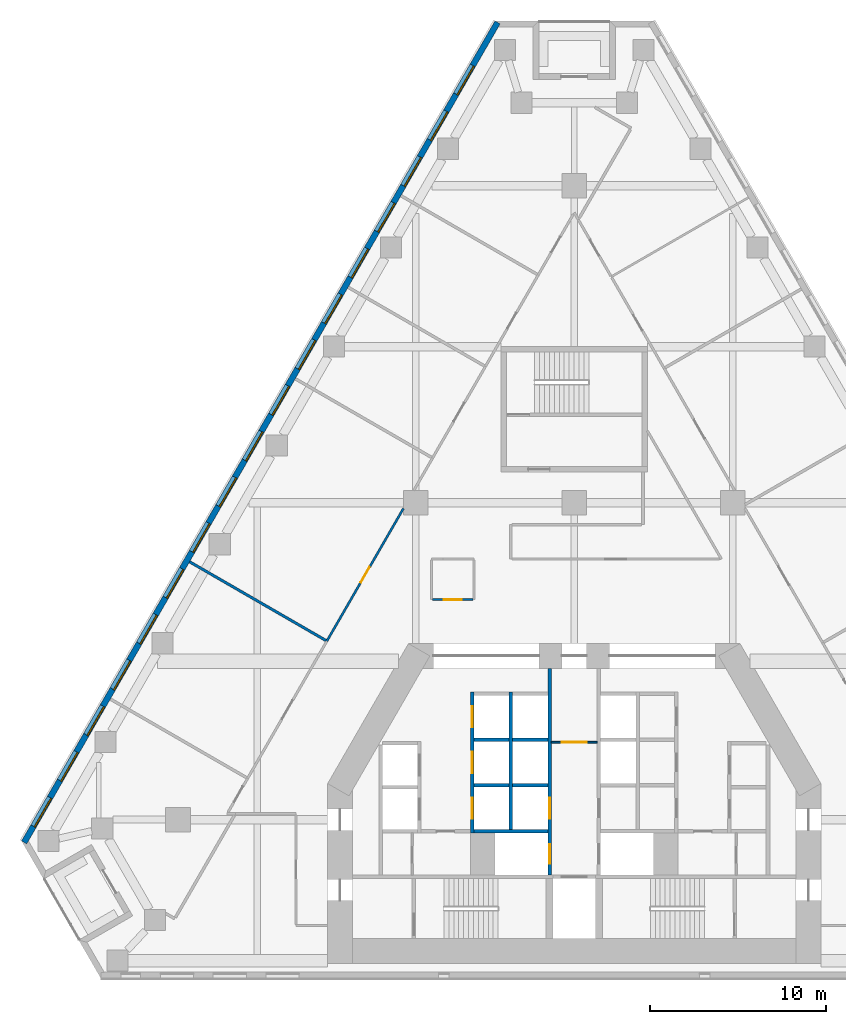
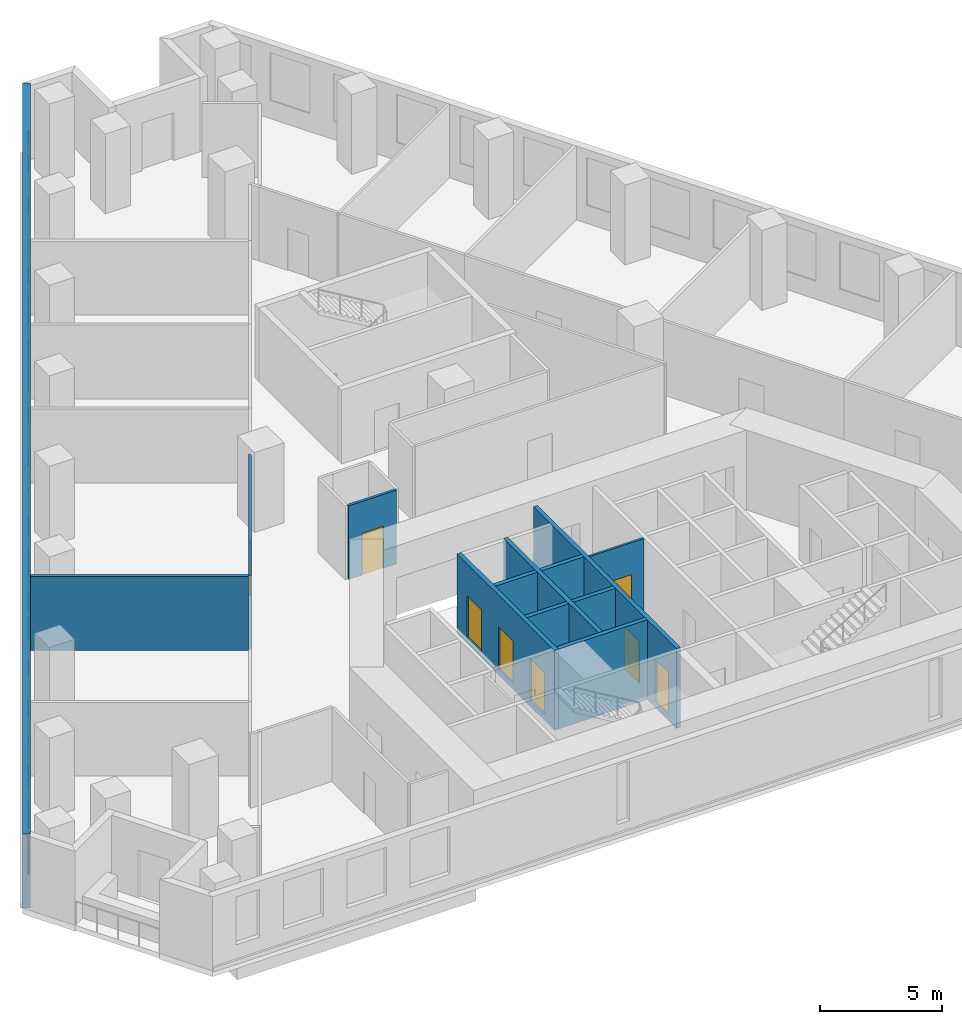
# One storey, part 4 of 9: 17 windows, 13 walls, 8 doors, 25 openings.
"""IFC4 building model written with IfcOpenShell, lengths in metres."""

from ifc_helpers import new_model, si_unit, direction, frame, frame_2d, origin, place, context, subcontext, project, spatial, rectangle, extrude, material, layer, layer_set, type_object, element, fill, save


model = new_model("IFC4")

# Units and contexts
model_context = context("Model", 3, precision=1e-05, world=origin(), true_north=direction((0.0, 1.0)))
body_context = subcontext(model_context, "Body", "Model", "MODEL_VIEW")
ifc_project = project(units=[si_unit("LENGTHUNIT", "METRE"), si_unit("AREAUNIT", "SQUARE_METRE"), si_unit("VOLUMEUNIT", "CUBIC_METRE"), si_unit("PLANEANGLEUNIT", "RADIAN"), si_unit("MASSUNIT", "GRAM", prefix="KILO")], contexts=[model_context])

# Site, building, storey
site_placement = place(None, origin())
site = spatial("IfcSite", under=ifc_project, at=site_placement, CompositionType="ELEMENT")
building_placement = place(site_placement, origin())
building = spatial("IfcBuilding", under=site, at=building_placement, Name="Fogline Exchange Tower", CompositionType="ELEMENT")
storey_placement = place(building_placement, frame((0.0, 0.0, 68.89990234375)))
storey = spatial("IfcBuildingStorey", under=building, at=storey_placement, Name="L14", CompositionType="ELEMENT", Elevation=68.89990234375)

# Wall, opening, door
ifc_material_1 = material(Name="Blockwork partition", Category="masonry")
ifc_layer_1 = layer(ifc_material_1, 0.10009765625)
ifc_layer_set_1 = layer_set([ifc_layer_1], Name="CW10")
wall_type_1 = type_object("IfcWallType", Name="CW10", PredefinedType="PARTITIONING", material=ifc_layer_set_1)
wall_1_placement = place(storey_placement, frame((-1.300048828125, 13.39990234375, 0.0), z_axis=(0.0, 0.0, 1.0), x_axis=(1.0, 0.0, 0.0)))
wall_1 = element("IfcWall", 1, at=wall_1_placement, inside=storey, type_object=wall_type_1, Name="Lift lobby partition", PredefinedType="PARTITIONING", context=body_context, shape_type="SweptSolid", body=[
    extrude(rectangle(XDim=2.60009765625, YDim=0.10009765625, at=frame_2d((1.300048828125, 0.0))), origin(), (0.0, 0.0, 1.0), 3.7001953125),
])
opening_1_placement = place(wall_1_placement, frame((0.60009765625, 0.0, 0.0)))
opening_1 = element("IfcOpeningElement", 2, at=opening_1_placement, cuts=wall_1, Name="Opening T04-C017", PredefinedType="OPENING", context=body_context, shape_type="SweptSolid", body=[
    extrude(rectangle(XDim=1.39990234375, YDim=2.10009765625, at=frame_2d((0.699951171875, 1.050048828125))), frame((0.0, 0.06005859375, 0.0), z_axis=(0.0, -1.0, 0.0), x_axis=(1.0, 0.0, 0.0)), (0.0, 0.0, 1.0), 0.1201171875),
])
ifc_material_2 = material(Name="Steel and timber fire door", Category="steel")
door_type_1 = type_object("IfcDoorType", Name="D-LB1", OperationType="DOUBLE_DOOR_SINGLE_SWING", PredefinedType="DOOR", material=ifc_material_2)
door_1_placement = place(opening_1_placement, origin())
door_1 = element("IfcDoor", 3, at=door_1_placement, inside=storey, type_object=door_type_1, Name="Door to firefighting lift lobby", OperationType="DOUBLE_DOOR_SINGLE_SWING", OverallHeight=2.10009765625, OverallWidth=1.39990234375, PredefinedType="DOOR", context=body_context, shape_type="SweptSolid", body=[
    extrude(rectangle(XDim=1.39990234375, YDim=2.10009765625, at=frame_2d((0.699951171875, 1.050048828125))), frame((0.0, 0.02490234375, 0.0), z_axis=(0.0, -1.0, 0.0), x_axis=(1.0, 0.0, 0.0)), (0.0, 0.0, 1.0), 0.050048828125),
])
fill(opening_1, door_1)

# Wall, openings, doors
ifc_material_3 = material(Name="Concrete C40", Category="concrete")
ifc_layer_2 = layer(ifc_material_3, 0.199951171875)
ifc_layer_set_2 = layer_set([ifc_layer_2], Name="CW20S")
wall_type_2 = type_object("IfcWallType", Name="CW20S", PredefinedType="SOLIDWALL", material=ifc_layer_set_2)
wall_2_placement = place(storey_placement, frame((-5.800048828125, 8.25, -0.2998046875), z_axis=(0.0, 0.0, 1.0), x_axis=(0.0, 1.0, 0.0)))
wall_2 = element("IfcWall", 4, at=wall_2_placement, inside=storey, type_object=wall_type_2, Name="Lift shaft wall", PredefinedType="SOLIDWALL", context=body_context, shape_type="SweptSolid", body=[
    extrude(rectangle(XDim=8.0, YDim=0.199951171875, at=frame_2d((4.0, 0.0))), origin(), (0.0, 0.0, 1.0), 4.0),
])
opening_2_placement = place(wall_2_placement, frame((0.800048828125, 0.0, 0.300048828125)))
opening_2 = element("IfcOpeningElement", 5, at=opening_2_placement, cuts=wall_2, Name="Opening T04-LD03", PredefinedType="OPENING", context=body_context, shape_type="SweptSolid", body=[
    extrude(rectangle(XDim=1.199951171875, YDim=2.10009765625, at=frame_2d((0.60009765625, 1.050048828125))), frame((0.0, 0.10986328125, 0.0), z_axis=(0.0, -1.0, 0.0), x_axis=(1.0, 0.0, 0.0)), (0.0, 0.0, 1.0), 0.219970703125),
])
opening_3_placement = place(wall_2_placement, frame((3.39990234375, 0.0, 0.300048828125)))
opening_3 = element("IfcOpeningElement", 6, at=opening_3_placement, cuts=wall_2, Name="Opening T04-LD04", PredefinedType="OPENING", context=body_context, shape_type="SweptSolid", body=[
    extrude(rectangle(XDim=1.199951171875, YDim=2.10009765625, at=frame_2d((0.60009765625, 1.050048828125))), frame((0.0, 0.10986328125, 0.0), z_axis=(0.0, -1.0, 0.0), x_axis=(1.0, 0.0, 0.0)), (0.0, 0.0, 1.0), 0.219970703125),
])
opening_4_placement = place(wall_2_placement, frame((6.0, 0.0, 0.300048828125)))
opening_4 = element("IfcOpeningElement", 7, at=opening_4_placement, cuts=wall_2, Name="Opening T04-LD05", PredefinedType="OPENING", context=body_context, shape_type="SweptSolid", body=[
    extrude(rectangle(XDim=1.199951171875, YDim=2.10009765625, at=frame_2d((0.60009765625, 1.050048828125))), frame((0.0, 0.10986328125, 0.0), z_axis=(0.0, -1.0, 0.0), x_axis=(1.0, 0.0, 0.0)), (0.0, 0.0, 1.0), 0.219970703125),
])
door_type_2 = type_object("IfcDoorType", Name="LD1", OperationType="SLIDING_TO_LEFT", PredefinedType="DOOR", material=ifc_material_2)
door_2_placement = place(opening_2_placement, origin())
door_2 = element("IfcDoor", 8, at=door_2_placement, inside=storey, type_object=door_type_2, Name="Landing door LR3", OperationType="SLIDING_TO_LEFT", OverallHeight=2.10009765625, OverallWidth=1.199951171875, PredefinedType="DOOR", context=body_context, shape_type="SweptSolid", body=[
    extrude(rectangle(XDim=1.199951171875, YDim=2.10009765625, at=frame_2d((0.60009765625, 1.050048828125))), frame((0.0, 0.02490234375, 0.0), z_axis=(0.0, -1.0, 0.0), x_axis=(1.0, 0.0, 0.0)), (0.0, 0.0, 1.0), 0.050048828125),
])
fill(opening_2, door_2)
door_3_placement = place(opening_3_placement, origin())
door_3 = element("IfcDoor", 9, at=door_3_placement, inside=storey, type_object=door_type_2, Name="Landing door LR4", OperationType="SLIDING_TO_LEFT", OverallHeight=2.10009765625, OverallWidth=1.199951171875, PredefinedType="DOOR", context=body_context, shape_type="SweptSolid", body=[
    extrude(rectangle(XDim=1.199951171875, YDim=2.10009765625, at=frame_2d((0.60009765625, 1.050048828125))), frame((0.0, 0.02490234375, 0.0), z_axis=(0.0, -1.0, 0.0), x_axis=(1.0, 0.0, 0.0)), (0.0, 0.0, 1.0), 0.050048828125),
])
fill(opening_3, door_3)
door_4_placement = place(opening_4_placement, origin())
door_4 = element("IfcDoor", 10, at=door_4_placement, inside=storey, type_object=door_type_2, Name="Landing door LR5", OperationType="SLIDING_TO_LEFT", OverallHeight=2.10009765625, OverallWidth=1.199951171875, PredefinedType="DOOR", context=body_context, shape_type="SweptSolid", body=[
    extrude(rectangle(XDim=1.199951171875, YDim=2.10009765625, at=frame_2d((0.60009765625, 1.050048828125))), frame((0.0, 0.02490234375, 0.0), z_axis=(0.0, -1.0, 0.0), x_axis=(1.0, 0.0, 0.0)), (0.0, 0.0, 1.0), 0.050048828125),
])
fill(opening_4, door_4)

# Wall
wall_3_placement = place(storey_placement, frame((-3.60009765625, 8.449951171875, -0.2998046875), z_axis=(0.0, 0.0, 1.0), x_axis=(0.0, 1.0, 0.0)))
element("IfcWall", 11, at=wall_3_placement, inside=storey, type_object=wall_type_2, Name="Lift shaft wall", PredefinedType="SOLIDWALL", context=body_context, shape_type="SweptSolid", body=[
    extrude(rectangle(XDim=7.800048828125, YDim=0.199951171875, at=frame_2d((3.89990234375, 0.0))), origin(), (0.0, 0.0, 1.0), 4.0),
])

# Wall, openings, doors
wall_4_placement = place(storey_placement, frame((-1.39990234375, 5.85009765625, -0.2998046875), z_axis=(0.0, 0.0, 1.0), x_axis=(0.0, 1.0, 0.0)))
wall_4 = element("IfcWall", 12, at=wall_4_placement, inside=storey, type_object=wall_type_2, Name="Lift lobby wall", PredefinedType="SOLIDWALL", context=body_context, shape_type="SweptSolid", body=[
    extrude(rectangle(XDim=11.75, YDim=0.199951171875, at=frame_2d((5.875, 0.0))), origin(), (0.0, 0.0, 1.0), 4.0),
])
opening_5_placement = place(wall_4_placement, frame((3.199951171875, 0.0, 0.300048828125)))
opening_5 = element("IfcOpeningElement", 13, at=opening_5_placement, cuts=wall_4, Name="Opening T04-LD06", PredefinedType="OPENING", context=body_context, shape_type="SweptSolid", body=[
    extrude(rectangle(XDim=1.199951171875, YDim=2.10009765625, at=frame_2d((0.60009765625, 1.050048828125))), frame((0.0, 0.10986328125, 0.0), z_axis=(0.0, -1.0, 0.0), x_axis=(1.0, 0.0, 0.0)), (0.0, 0.0, 1.0), 0.219970703125),
])
opening_6_placement = place(wall_4_placement, frame((0.64990234375, 0.0, 0.300048828125)))
opening_6 = element("IfcOpeningElement", 14, at=opening_6_placement, cuts=wall_4, Name="Opening T04-LD07", PredefinedType="OPENING", context=body_context, shape_type="SweptSolid", body=[
    extrude(rectangle(XDim=1.10009765625, YDim=2.10009765625, at=frame_2d((0.550048828125, 1.050048828125))), frame((0.0, 0.10986328125, 0.0), z_axis=(0.0, -1.0, 0.0), x_axis=(1.0, 0.0, 0.0)), (0.0, 0.0, 1.0), 0.219970703125),
])
door_5_placement = place(opening_5_placement, origin())
door_5 = element("IfcDoor", 15, at=door_5_placement, inside=storey, type_object=door_type_2, Name="Landing door LR6", OperationType="SLIDING_TO_LEFT", OverallHeight=2.10009765625, OverallWidth=1.199951171875, PredefinedType="DOOR", context=body_context, shape_type="SweptSolid", body=[
    extrude(rectangle(XDim=1.199951171875, YDim=2.10009765625, at=frame_2d((0.60009765625, 1.050048828125))), frame((0.0, 0.02490234375, 0.0), z_axis=(0.0, -1.0, 0.0), x_axis=(1.0, 0.0, 0.0)), (0.0, 0.0, 1.0), 0.050048828125),
])
fill(opening_5, door_5)
door_type_3 = type_object("IfcDoorType", Name="LD2", OperationType="SLIDING_TO_RIGHT", PredefinedType="DOOR", material=ifc_material_2)
door_6_placement = place(opening_6_placement, origin())
door_6 = element("IfcDoor", 16, at=door_6_placement, inside=storey, type_object=door_type_3, Name="Landing door FF1", OperationType="SLIDING_TO_RIGHT", OverallHeight=2.10009765625, OverallWidth=1.10009765625, PredefinedType="DOOR", context=body_context, shape_type="SweptSolid", body=[
    extrude(rectangle(XDim=1.10009765625, YDim=2.10009765625, at=frame_2d((0.550048828125, 1.050048828125))), frame((0.0, 0.02490234375, 0.0), z_axis=(0.0, -1.0, 0.0), x_axis=(1.0, 0.0, 0.0)), (0.0, 0.0, 1.0), 0.050048828125),
])
fill(opening_6, door_6)

# Walls
wall_5_placement = place(storey_placement, frame((-5.699951171875, 8.35009765625, -0.2998046875), z_axis=(0.0, 0.0, 1.0), x_axis=(1.0, 0.0, 0.0)))
element("IfcWall", 17, at=wall_5_placement, inside=storey, type_object=wall_type_2, Name="Lift shaft wall", PredefinedType="SOLIDWALL", context=body_context, shape_type="SweptSolid", body=[
    extrude(rectangle(XDim=4.199951171875, YDim=0.199951171875, at=frame_2d((2.10009765625, 0.0))), origin(), (0.0, 0.0, 1.0), 4.0),
])
for number, where, z_axis, x_axis, name in (
    (18, (-5.699951171875, 10.949951171875, -0.2998046875), (0.0, 0.0, 1.0), (1.0, 0.0, 0.0), "Lift shaft wall"),
    (19, (-5.699951171875, 13.550048828125, -0.2998046875), (0.0, 0.0, 1.0), (1.0, 0.0, 0.0), "Lift shaft wall"),
    (20, (-3.5, 10.949951171875, -0.2998046875), (0.0, 0.0, 1.0), (1.0, 0.0, 0.0), "Lift shaft wall"),
    (21, (-3.5, 13.550048828125, -0.2998046875), (0.0, 0.0, 1.0), (1.0, 0.0, 0.0), "Lift shaft wall"),
):
    element("IfcWall", number, at=place(storey_placement, frame(where, z_axis=z_axis, x_axis=x_axis)), inside=storey, type_object=wall_type_2, Name=name, PredefinedType="SOLIDWALL", context=body_context, shape_type="SweptSolid", body=[
        extrude(rectangle(XDim=2.0, YDim=0.199951171875, at=frame_2d((1.0, 0.0))), origin(), (0.0, 0.0, 1.0), 4.0),
    ])

# Wall, openings, windows
ifc_material_4 = material(Name="Brick masonry", Category="masonry")
ifc_layer_3 = layer(ifc_material_4, 0.340087890625)
ifc_layer_set_3 = layer_set([ifc_layer_3], Name="FW1")
wall_type_3 = type_object("IfcWallType", Name="FW1", PredefinedType="SOLIDWALL", material=ifc_layer_set_3)
wall_6_placement = place(storey_placement, frame((-4.352783203125, 54.271728515625, 0.0), z_axis=(0.0, 0.0, 1.0), x_axis=(-0.499999171277, -0.866025882247, 0.0)))
wall_6 = element("IfcWall", 22, at=wall_6_placement, inside=storey, type_object=wall_type_3, Name="Brick wall L14 W", PredefinedType="SOLIDWALL", context=body_context, shape_type="SweptSolid", body=[
    extrude(rectangle(XDim=53.765625, YDim=0.340087890625, at=frame_2d((26.8828125, 0.0))), origin(), (0.0, 0.0, 1.0), 3.7001953125),
])
opening_7_placement = place(wall_6_placement, frame((2.82421875, 0.0, 0.89990234375)))
opening_7 = element("IfcOpeningElement", 23, at=opening_7_placement, cuts=wall_6, Name="Opening W1", PredefinedType="OPENING", context=body_context, shape_type="SweptSolid", body=[
    extrude(rectangle(XDim=1.885009765625, YDim=2.39990234375, at=frame_2d((0.9423828125, 1.199951171875))), frame((0.0, 0.18017578125, 0.0), z_axis=(0.0, -1.0, 0.0), x_axis=(1.0, 0.0, 0.0)), (0.0, 0.0, 1.0), 0.360107421875),
])
opening_8_placement = place(wall_6_placement, frame((5.82421875, 0.0, 0.89990234375)))
opening_8 = element("IfcOpeningElement", 24, at=opening_8_placement, cuts=wall_6, Name="Opening W1", PredefinedType="OPENING", context=body_context, shape_type="SweptSolid", body=[
    extrude(rectangle(XDim=1.885009765625, YDim=2.39990234375, at=frame_2d((0.9423828125, 1.199951171875))), frame((0.0, 0.18017578125, 0.0), z_axis=(0.0, -1.0, 0.0), x_axis=(1.0, 0.0, 0.0)), (0.0, 0.0, 1.0), 0.360107421875),
])
opening_9_placement = place(wall_6_placement, frame((8.82421875, 0.0, 0.89990234375)))
opening_9 = element("IfcOpeningElement", 25, at=opening_9_placement, cuts=wall_6, Name="Opening W1", PredefinedType="OPENING", context=body_context, shape_type="SweptSolid", body=[
    extrude(rectangle(XDim=1.885009765625, YDim=2.39990234375, at=frame_2d((0.9423828125, 1.199951171875))), frame((0.0, 0.18017578125, 0.0), z_axis=(0.0, -1.0, 0.0), x_axis=(1.0, 0.0, 0.0)), (0.0, 0.0, 1.0), 0.360107421875),
])
opening_10_placement = place(wall_6_placement, frame((11.82421875, 0.0, 0.89990234375)))
opening_10 = element("IfcOpeningElement", 26, at=opening_10_placement, cuts=wall_6, Name="Opening W1", PredefinedType="OPENING", context=body_context, shape_type="SweptSolid", body=[
    extrude(rectangle(XDim=1.885009765625, YDim=2.39990234375, at=frame_2d((0.9423828125, 1.199951171875))), frame((0.0, 0.18017578125, 0.0), z_axis=(0.0, -1.0, 0.0), x_axis=(1.0, 0.0, 0.0)), (0.0, 0.0, 1.0), 0.360107421875),
])
opening_11_placement = place(wall_6_placement, frame((14.82421875, 0.0, 0.89990234375)))
opening_11 = element("IfcOpeningElement", 27, at=opening_11_placement, cuts=wall_6, Name="Opening W1", PredefinedType="OPENING", context=body_context, shape_type="SweptSolid", body=[
    extrude(rectangle(XDim=1.885009765625, YDim=2.39990234375, at=frame_2d((0.9423828125, 1.199951171875))), frame((0.0, 0.18017578125, 0.0), z_axis=(0.0, -1.0, 0.0), x_axis=(1.0, 0.0, 0.0)), (0.0, 0.0, 1.0), 0.360107421875),
])
opening_12_placement = place(wall_6_placement, frame((17.82421875, 0.0, 0.89990234375)))
opening_12 = element("IfcOpeningElement", 28, at=opening_12_placement, cuts=wall_6, Name="Opening W1", PredefinedType="OPENING", context=body_context, shape_type="SweptSolid", body=[
    extrude(rectangle(XDim=1.885009765625, YDim=2.39990234375, at=frame_2d((0.9423828125, 1.199951171875))), frame((0.0, 0.18017578125, 0.0), z_axis=(0.0, -1.0, 0.0), x_axis=(1.0, 0.0, 0.0)), (0.0, 0.0, 1.0), 0.360107421875),
])
opening_13_placement = place(wall_6_placement, frame((20.82421875, 0.0, 0.89990234375)))
opening_13 = element("IfcOpeningElement", 29, at=opening_13_placement, cuts=wall_6, Name="Opening W1", PredefinedType="OPENING", context=body_context, shape_type="SweptSolid", body=[
    extrude(rectangle(XDim=1.885009765625, YDim=2.39990234375, at=frame_2d((0.9423828125, 1.199951171875))), frame((0.0, 0.18017578125, 0.0), z_axis=(0.0, -1.0, 0.0), x_axis=(1.0, 0.0, 0.0)), (0.0, 0.0, 1.0), 0.360107421875),
])
opening_14_placement = place(wall_6_placement, frame((23.82421875, 0.0, 0.89990234375)))
opening_14 = element("IfcOpeningElement", 30, at=opening_14_placement, cuts=wall_6, Name="Opening W1", PredefinedType="OPENING", context=body_context, shape_type="SweptSolid", body=[
    extrude(rectangle(XDim=1.885009765625, YDim=2.39990234375, at=frame_2d((0.9423828125, 1.199951171875))), frame((0.0, 0.18017578125, 0.0), z_axis=(0.0, -1.0, 0.0), x_axis=(1.0, 0.0, 0.0)), (0.0, 0.0, 1.0), 0.360107421875),
])
opening_15_placement = place(wall_6_placement, frame((26.82421875, 0.0, 0.89990234375)))
opening_15 = element("IfcOpeningElement", 31, at=opening_15_placement, cuts=wall_6, Name="Opening W1", PredefinedType="OPENING", context=body_context, shape_type="SweptSolid", body=[
    extrude(rectangle(XDim=1.885009765625, YDim=2.39990234375, at=frame_2d((0.9423828125, 1.199951171875))), frame((0.0, 0.18017578125, 0.0), z_axis=(0.0, -1.0, 0.0), x_axis=(1.0, 0.0, 0.0)), (0.0, 0.0, 1.0), 0.360107421875),
])
opening_16_placement = place(wall_6_placement, frame((29.82421875, 0.0, 0.89990234375)))
opening_16 = element("IfcOpeningElement", 32, at=opening_16_placement, cuts=wall_6, Name="Opening W1", PredefinedType="OPENING", context=body_context, shape_type="SweptSolid", body=[
    extrude(rectangle(XDim=1.885009765625, YDim=2.39990234375, at=frame_2d((0.9423828125, 1.199951171875))), frame((0.0, 0.18017578125, 0.0), z_axis=(0.0, -1.0, 0.0), x_axis=(1.0, 0.0, 0.0)), (0.0, 0.0, 1.0), 0.360107421875),
])
opening_17_placement = place(wall_6_placement, frame((32.82421875, 0.0, 0.89990234375)))
opening_17 = element("IfcOpeningElement", 33, at=opening_17_placement, cuts=wall_6, Name="Opening W1", PredefinedType="OPENING", context=body_context, shape_type="SweptSolid", body=[
    extrude(rectangle(XDim=1.885009765625, YDim=2.39990234375, at=frame_2d((0.9423828125, 1.199951171875))), frame((0.0, 0.18017578125, 0.0), z_axis=(0.0, -1.0, 0.0), x_axis=(1.0, 0.0, 0.0)), (0.0, 0.0, 1.0), 0.360107421875),
])
opening_18_placement = place(wall_6_placement, frame((35.82421875, 0.0, 0.89990234375)))
opening_18 = element("IfcOpeningElement", 34, at=opening_18_placement, cuts=wall_6, Name="Opening W1", PredefinedType="OPENING", context=body_context, shape_type="SweptSolid", body=[
    extrude(rectangle(XDim=1.885009765625, YDim=2.39990234375, at=frame_2d((0.9423828125, 1.199951171875))), frame((0.0, 0.18017578125, 0.0), z_axis=(0.0, -1.0, 0.0), x_axis=(1.0, 0.0, 0.0)), (0.0, 0.0, 1.0), 0.360107421875),
])
opening_19_placement = place(wall_6_placement, frame((38.82421875, 0.0, 0.89990234375)))
opening_19 = element("IfcOpeningElement", 35, at=opening_19_placement, cuts=wall_6, Name="Opening W1", PredefinedType="OPENING", context=body_context, shape_type="SweptSolid", body=[
    extrude(rectangle(XDim=1.885009765625, YDim=2.39990234375, at=frame_2d((0.9423828125, 1.199951171875))), frame((0.0, 0.18017578125, 0.0), z_axis=(0.0, -1.0, 0.0), x_axis=(1.0, 0.0, 0.0)), (0.0, 0.0, 1.0), 0.360107421875),
])
opening_20_placement = place(wall_6_placement, frame((41.82421875, 0.0, 0.89990234375)))
opening_20 = element("IfcOpeningElement", 36, at=opening_20_placement, cuts=wall_6, Name="Opening W1", PredefinedType="OPENING", context=body_context, shape_type="SweptSolid", body=[
    extrude(rectangle(XDim=1.885009765625, YDim=2.39990234375, at=frame_2d((0.9423828125, 1.199951171875))), frame((0.0, 0.18017578125, 0.0), z_axis=(0.0, -1.0, 0.0), x_axis=(1.0, 0.0, 0.0)), (0.0, 0.0, 1.0), 0.360107421875),
])
opening_21_placement = place(wall_6_placement, frame((44.82421875, 0.0, 0.89990234375)))
opening_21 = element("IfcOpeningElement", 37, at=opening_21_placement, cuts=wall_6, Name="Opening W1", PredefinedType="OPENING", context=body_context, shape_type="SweptSolid", body=[
    extrude(rectangle(XDim=1.885009765625, YDim=2.39990234375, at=frame_2d((0.9423828125, 1.199951171875))), frame((0.0, 0.18017578125, 0.0), z_axis=(0.0, -1.0, 0.0), x_axis=(1.0, 0.0, 0.0)), (0.0, 0.0, 1.0), 0.360107421875),
])
opening_22_placement = place(wall_6_placement, frame((47.82421875, 0.0, 0.89990234375)))
opening_22 = element("IfcOpeningElement", 38, at=opening_22_placement, cuts=wall_6, Name="Opening W1", PredefinedType="OPENING", context=body_context, shape_type="SweptSolid", body=[
    extrude(rectangle(XDim=1.885009765625, YDim=2.39990234375, at=frame_2d((0.9423828125, 1.199951171875))), frame((0.0, 0.18017578125, 0.0), z_axis=(0.0, -1.0, 0.0), x_axis=(1.0, 0.0, 0.0)), (0.0, 0.0, 1.0), 0.360107421875),
])
opening_23_placement = place(wall_6_placement, frame((50.82421875, 0.0, 0.89990234375)))
opening_23 = element("IfcOpeningElement", 39, at=opening_23_placement, cuts=wall_6, Name="Opening W1", PredefinedType="OPENING", context=body_context, shape_type="SweptSolid", body=[
    extrude(rectangle(XDim=1.885009765625, YDim=2.39990234375, at=frame_2d((0.9423828125, 1.199951171875))), frame((0.0, 0.18017578125, 0.0), z_axis=(0.0, -1.0, 0.0), x_axis=(1.0, 0.0, 0.0)), (0.0, 0.0, 1.0), 0.360107421875),
])
ifc_material_5 = material(Name="Aluminium and glass", Category="aluminium")
window_type = type_object("IfcWindowType", Name="W1", PartitioningType="SINGLE_PANEL", PredefinedType="WINDOW", material=ifc_material_5)
window_1_placement = place(opening_7_placement, origin())
window_1 = element("IfcWindow", 40, at=window_1_placement, inside=storey, type_object=window_type, Name="W1 W1", OverallHeight=2.39990234375, OverallWidth=1.885009765625, PartitioningType="SINGLE_PANEL", PredefinedType="WINDOW", context=body_context, shape_type="SweptSolid", body=[
    extrude(rectangle(XDim=1.885009765625, YDim=2.39990234375, at=frame_2d((0.9423828125, 1.199951171875))), frame((0.0, 0.110107421875, 0.0), z_axis=(0.0, -1.0, 0.0), x_axis=(1.0, 0.0, 0.0)), (0.0, 0.0, 1.0), 0.06005859375),
])
fill(opening_7, window_1)
window_2_placement = place(opening_8_placement, origin())
window_2 = element("IfcWindow", 41, at=window_2_placement, inside=storey, type_object=window_type, Name="W1 W1", OverallHeight=2.39990234375, OverallWidth=1.885009765625, PartitioningType="SINGLE_PANEL", PredefinedType="WINDOW", context=body_context, shape_type="SweptSolid", body=[
    extrude(rectangle(XDim=1.885009765625, YDim=2.39990234375, at=frame_2d((0.9423828125, 1.199951171875))), frame((0.0, 0.110107421875, 0.0), z_axis=(0.0, -1.0, 0.0), x_axis=(1.0, 0.0, 0.0)), (0.0, 0.0, 1.0), 0.06005859375),
])
fill(opening_8, window_2)
window_3_placement = place(opening_9_placement, origin())
window_3 = element("IfcWindow", 42, at=window_3_placement, inside=storey, type_object=window_type, Name="W1 W1", OverallHeight=2.39990234375, OverallWidth=1.885009765625, PartitioningType="SINGLE_PANEL", PredefinedType="WINDOW", context=body_context, shape_type="SweptSolid", body=[
    extrude(rectangle(XDim=1.885009765625, YDim=2.39990234375, at=frame_2d((0.9423828125, 1.199951171875))), frame((0.0, 0.110107421875, 0.0), z_axis=(0.0, -1.0, 0.0), x_axis=(1.0, 0.0, 0.0)), (0.0, 0.0, 1.0), 0.06005859375),
])
fill(opening_9, window_3)
window_4_placement = place(opening_10_placement, origin())
window_4 = element("IfcWindow", 43, at=window_4_placement, inside=storey, type_object=window_type, Name="W1 W1", OverallHeight=2.39990234375, OverallWidth=1.885009765625, PartitioningType="SINGLE_PANEL", PredefinedType="WINDOW", context=body_context, shape_type="SweptSolid", body=[
    extrude(rectangle(XDim=1.885009765625, YDim=2.39990234375, at=frame_2d((0.9423828125, 1.199951171875))), frame((0.0, 0.110107421875, 0.0), z_axis=(0.0, -1.0, 0.0), x_axis=(1.0, 0.0, 0.0)), (0.0, 0.0, 1.0), 0.06005859375),
])
fill(opening_10, window_4)
window_5_placement = place(opening_11_placement, origin())
window_5 = element("IfcWindow", 44, at=window_5_placement, inside=storey, type_object=window_type, Name="W1 W1", OverallHeight=2.39990234375, OverallWidth=1.885009765625, PartitioningType="SINGLE_PANEL", PredefinedType="WINDOW", context=body_context, shape_type="SweptSolid", body=[
    extrude(rectangle(XDim=1.885009765625, YDim=2.39990234375, at=frame_2d((0.9423828125, 1.199951171875))), frame((0.0, 0.110107421875, 0.0), z_axis=(0.0, -1.0, 0.0), x_axis=(1.0, 0.0, 0.0)), (0.0, 0.0, 1.0), 0.06005859375),
])
fill(opening_11, window_5)
window_6_placement = place(opening_12_placement, origin())
window_6 = element("IfcWindow", 45, at=window_6_placement, inside=storey, type_object=window_type, Name="W1 W1", OverallHeight=2.39990234375, OverallWidth=1.885009765625, PartitioningType="SINGLE_PANEL", PredefinedType="WINDOW", context=body_context, shape_type="SweptSolid", body=[
    extrude(rectangle(XDim=1.885009765625, YDim=2.39990234375, at=frame_2d((0.9423828125, 1.199951171875))), frame((0.0, 0.110107421875, 0.0), z_axis=(0.0, -1.0, 0.0), x_axis=(1.0, 0.0, 0.0)), (0.0, 0.0, 1.0), 0.06005859375),
])
fill(opening_12, window_6)
window_7_placement = place(opening_13_placement, origin())
window_7 = element("IfcWindow", 46, at=window_7_placement, inside=storey, type_object=window_type, Name="W1 W1", OverallHeight=2.39990234375, OverallWidth=1.885009765625, PartitioningType="SINGLE_PANEL", PredefinedType="WINDOW", context=body_context, shape_type="SweptSolid", body=[
    extrude(rectangle(XDim=1.885009765625, YDim=2.39990234375, at=frame_2d((0.9423828125, 1.199951171875))), frame((0.0, 0.110107421875, 0.0), z_axis=(0.0, -1.0, 0.0), x_axis=(1.0, 0.0, 0.0)), (0.0, 0.0, 1.0), 0.06005859375),
])
fill(opening_13, window_7)
window_8_placement = place(opening_14_placement, origin())
window_8 = element("IfcWindow", 47, at=window_8_placement, inside=storey, type_object=window_type, Name="W1 W1", OverallHeight=2.39990234375, OverallWidth=1.885009765625, PartitioningType="SINGLE_PANEL", PredefinedType="WINDOW", context=body_context, shape_type="SweptSolid", body=[
    extrude(rectangle(XDim=1.885009765625, YDim=2.39990234375, at=frame_2d((0.9423828125, 1.199951171875))), frame((0.0, 0.110107421875, 0.0), z_axis=(0.0, -1.0, 0.0), x_axis=(1.0, 0.0, 0.0)), (0.0, 0.0, 1.0), 0.06005859375),
])
fill(opening_14, window_8)
window_9_placement = place(opening_15_placement, origin())
window_9 = element("IfcWindow", 48, at=window_9_placement, inside=storey, type_object=window_type, Name="W1 W1", OverallHeight=2.39990234375, OverallWidth=1.885009765625, PartitioningType="SINGLE_PANEL", PredefinedType="WINDOW", context=body_context, shape_type="SweptSolid", body=[
    extrude(rectangle(XDim=1.885009765625, YDim=2.39990234375, at=frame_2d((0.9423828125, 1.199951171875))), frame((0.0, 0.110107421875, 0.0), z_axis=(0.0, -1.0, 0.0), x_axis=(1.0, 0.0, 0.0)), (0.0, 0.0, 1.0), 0.06005859375),
])
fill(opening_15, window_9)
window_10_placement = place(opening_16_placement, origin())
window_10 = element("IfcWindow", 49, at=window_10_placement, inside=storey, type_object=window_type, Name="W1 W1", OverallHeight=2.39990234375, OverallWidth=1.885009765625, PartitioningType="SINGLE_PANEL", PredefinedType="WINDOW", context=body_context, shape_type="SweptSolid", body=[
    extrude(rectangle(XDim=1.885009765625, YDim=2.39990234375, at=frame_2d((0.9423828125, 1.199951171875))), frame((0.0, 0.110107421875, 0.0), z_axis=(0.0, -1.0, 0.0), x_axis=(1.0, 0.0, 0.0)), (0.0, 0.0, 1.0), 0.06005859375),
])
fill(opening_16, window_10)
window_11_placement = place(opening_17_placement, origin())
window_11 = element("IfcWindow", 50, at=window_11_placement, inside=storey, type_object=window_type, Name="W1 W1", OverallHeight=2.39990234375, OverallWidth=1.885009765625, PartitioningType="SINGLE_PANEL", PredefinedType="WINDOW", context=body_context, shape_type="SweptSolid", body=[
    extrude(rectangle(XDim=1.885009765625, YDim=2.39990234375, at=frame_2d((0.9423828125, 1.199951171875))), frame((0.0, 0.110107421875, 0.0), z_axis=(0.0, -1.0, 0.0), x_axis=(1.0, 0.0, 0.0)), (0.0, 0.0, 1.0), 0.06005859375),
])
fill(opening_17, window_11)
window_12_placement = place(opening_18_placement, origin())
window_12 = element("IfcWindow", 51, at=window_12_placement, inside=storey, type_object=window_type, Name="W1 W1", OverallHeight=2.39990234375, OverallWidth=1.885009765625, PartitioningType="SINGLE_PANEL", PredefinedType="WINDOW", context=body_context, shape_type="SweptSolid", body=[
    extrude(rectangle(XDim=1.885009765625, YDim=2.39990234375, at=frame_2d((0.9423828125, 1.199951171875))), frame((0.0, 0.110107421875, 0.0), z_axis=(0.0, -1.0, 0.0), x_axis=(1.0, 0.0, 0.0)), (0.0, 0.0, 1.0), 0.06005859375),
])
fill(opening_18, window_12)
window_13_placement = place(opening_19_placement, origin())
window_13 = element("IfcWindow", 52, at=window_13_placement, inside=storey, type_object=window_type, Name="W1 W1", OverallHeight=2.39990234375, OverallWidth=1.885009765625, PartitioningType="SINGLE_PANEL", PredefinedType="WINDOW", context=body_context, shape_type="SweptSolid", body=[
    extrude(rectangle(XDim=1.885009765625, YDim=2.39990234375, at=frame_2d((0.9423828125, 1.199951171875))), frame((0.0, 0.110107421875, 0.0), z_axis=(0.0, -1.0, 0.0), x_axis=(1.0, 0.0, 0.0)), (0.0, 0.0, 1.0), 0.06005859375),
])
fill(opening_19, window_13)
window_14_placement = place(opening_20_placement, origin())
window_14 = element("IfcWindow", 53, at=window_14_placement, inside=storey, type_object=window_type, Name="W1 W1", OverallHeight=2.39990234375, OverallWidth=1.885009765625, PartitioningType="SINGLE_PANEL", PredefinedType="WINDOW", context=body_context, shape_type="SweptSolid", body=[
    extrude(rectangle(XDim=1.885009765625, YDim=2.39990234375, at=frame_2d((0.9423828125, 1.199951171875))), frame((0.0, 0.110107421875, 0.0), z_axis=(0.0, -1.0, 0.0), x_axis=(1.0, 0.0, 0.0)), (0.0, 0.0, 1.0), 0.06005859375),
])
fill(opening_20, window_14)
window_15_placement = place(opening_21_placement, origin())
window_15 = element("IfcWindow", 54, at=window_15_placement, inside=storey, type_object=window_type, Name="W1 W1", OverallHeight=2.39990234375, OverallWidth=1.885009765625, PartitioningType="SINGLE_PANEL", PredefinedType="WINDOW", context=body_context, shape_type="SweptSolid", body=[
    extrude(rectangle(XDim=1.885009765625, YDim=2.39990234375, at=frame_2d((0.9423828125, 1.199951171875))), frame((0.0, 0.110107421875, 0.0), z_axis=(0.0, -1.0, 0.0), x_axis=(1.0, 0.0, 0.0)), (0.0, 0.0, 1.0), 0.06005859375),
])
fill(opening_21, window_15)
window_16_placement = place(opening_22_placement, origin())
window_16 = element("IfcWindow", 55, at=window_16_placement, inside=storey, type_object=window_type, Name="W1 W1", OverallHeight=2.39990234375, OverallWidth=1.885009765625, PartitioningType="SINGLE_PANEL", PredefinedType="WINDOW", context=body_context, shape_type="SweptSolid", body=[
    extrude(rectangle(XDim=1.885009765625, YDim=2.39990234375, at=frame_2d((0.9423828125, 1.199951171875))), frame((0.0, 0.110107421875, 0.0), z_axis=(0.0, -1.0, 0.0), x_axis=(1.0, 0.0, 0.0)), (0.0, 0.0, 1.0), 0.06005859375),
])
fill(opening_22, window_16)
window_17_placement = place(opening_23_placement, origin())
window_17 = element("IfcWindow", 56, at=window_17_placement, inside=storey, type_object=window_type, Name="W1 W1", OverallHeight=2.39990234375, OverallWidth=1.885009765625, PartitioningType="SINGLE_PANEL", PredefinedType="WINDOW", context=body_context, shape_type="SweptSolid", body=[
    extrude(rectangle(XDim=1.885009765625, YDim=2.39990234375, at=frame_2d((0.9423828125, 1.199951171875))), frame((0.0, 0.110107421875, 0.0), z_axis=(0.0, -1.0, 0.0), x_axis=(1.0, 0.0, 0.0)), (0.0, 0.0, 1.0), 0.06005859375),
])
fill(opening_23, window_17)

# Wall, opening, door
ifc_material_6 = material(Name="Plasterboard corridor partition with mineral wool, 2 layers each side")
ifc_layer_4 = layer(ifc_material_6, 0.125)
ifc_layer_set_4 = layer_set([ifc_layer_4], Name="PW2")
wall_type_4 = type_object("IfcWallType", Name="PW2", PredefinedType="PARTITIONING", material=ifc_layer_set_4)
wall_7_placement = place(storey_placement, frame((-8.03759765625, 21.5, 0.0), z_axis=(0.0, 0.0, 1.0), x_axis=(1.0, 0.0, 0.0)))
wall_7 = element("IfcWall", 57, at=wall_7_placement, inside=storey, type_object=wall_type_4, Name="wall-L14-W005", PredefinedType="PARTITIONING", context=body_context, shape_type="SweptSolid", body=[
    extrude(rectangle(XDim=2.275146484375, YDim=0.125, at=frame_2d((1.1376953125, 0.0))), origin(), (0.0, 0.0, 1.0), 3.7001953125),
])
opening_24_placement = place(wall_7_placement, frame((0.637451171875, 0.0, 0.0)))
opening_24 = element("IfcOpeningElement", 58, at=opening_24_placement, cuts=wall_7, Name="Opening T04-D003", PredefinedType="OPENING", context=body_context, shape_type="SweptSolid", body=[
    extrude(rectangle(XDim=1.0, YDim=2.10009765625, at=frame_2d((0.5, 1.050048828125))), frame((0.0, 0.072509765625, 0.0), z_axis=(0.0, -1.0, 0.0), x_axis=(1.0, 0.0, 0.0)), (0.0, 0.0, 1.0), 0.14501953125),
])
ifc_material_7 = material(Name="Fire-rated timber door leaf with steel frame", Category="steel")
door_type_4 = type_object("IfcDoorType", Name="D3", OperationType="SINGLE_SWING_LEFT", PredefinedType="DOOR", material=ifc_material_7)
door_7_placement = place(opening_24_placement, origin())
door_7 = element("IfcDoor", 59, at=door_7_placement, inside=storey, type_object=door_type_4, Name="door-L14-D003", OperationType="SINGLE_SWING_LEFT", OverallHeight=2.10009765625, OverallWidth=1.0, PredefinedType="DOOR", context=body_context, shape_type="SweptSolid", body=[
    extrude(rectangle(XDim=1.0, YDim=2.10009765625, at=frame_2d((0.5, 1.050048828125))), frame((0.0, 0.02490234375, 0.0), z_axis=(0.0, -1.0, 0.0), x_axis=(1.0, 0.0, 0.0)), (0.0, 0.0, 1.0), 0.050048828125),
])
fill(opening_24, door_7)

wall_8_placement = place(storey_placement, frame((-14.044677734375, 19.144775390625, 0.0), z_axis=(0.0, 0.0, 1.0), x_axis=(0.500007009791, 0.866021356642, 0.0)))
wall_8 = element("IfcWall", 60, at=wall_8_placement, inside=storey, type_object=wall_type_4, Name="wall-L14-W018", PredefinedType="PARTITIONING", context=body_context, shape_type="SweptSolid", body=[
    extrude(rectangle(XDim=8.689453125, YDim=0.125, at=frame_2d((4.3447265625, 0.0))), origin(), (0.0, 0.0, 1.0), 3.7001953125),
])
opening_25_placement = place(wall_8_placement, frame((3.8447265625, 0.0, 0.0)))
opening_25 = element("IfcOpeningElement", 61, at=opening_25_placement, cuts=wall_8, Name="Opening T04-D012", PredefinedType="OPENING", context=body_context, shape_type="SweptSolid", body=[
    extrude(rectangle(XDim=1.0, YDim=2.10009765625, at=frame_2d((0.5, 1.050048828125))), frame((0.0, 0.072509765625, 0.0), z_axis=(0.0, -1.0, 0.0), x_axis=(1.0, 0.0, 0.0)), (0.0, 0.0, 1.0), 0.14501953125),
])
door_8_placement = place(opening_25_placement, origin())
door_8 = element("IfcDoor", 62, at=door_8_placement, inside=storey, type_object=door_type_4, Name="door-L14-D012", OperationType="SINGLE_SWING_LEFT", OverallHeight=2.10009765625, OverallWidth=1.0, PredefinedType="DOOR", context=body_context, shape_type="SweptSolid", body=[
    extrude(rectangle(XDim=1.0, YDim=2.10009765625, at=frame_2d((0.5, 1.050048828125))), frame((0.0, 0.02490234375, 0.0), z_axis=(0.0, -1.0, 0.0), x_axis=(1.0, 0.0, 0.0)), (0.0, 0.0, 1.0), 0.050048828125),
])
fill(opening_25, door_8)

# Wall
ifc_material_8 = material(Name="Plasterboard demising partition with mineral wool and acoustic board")
ifc_layer_5 = layer(ifc_material_8, 0.14990234375)
ifc_layer_set_5 = layer_set([ifc_layer_5], Name="PW3")
wall_type_5 = type_object("IfcWallType", Name="PW3", PredefinedType="PARTITIONING", material=ifc_layer_set_5)
wall_9_placement = place(storey_placement, frame((-14.098876953125, 19.176025390625, 0.0), z_axis=(0.0, 0.0, 1.0), x_axis=(-0.866022276127, 0.500005417223, 0.0)))
element("IfcWall", 63, at=wall_9_placement, inside=storey, type_object=wall_type_5, Name="wall-L14-W043", PredefinedType="PARTITIONING", context=body_context, shape_type="SweptSolid", body=[
    extrude(rectangle(XDim=8.9375, YDim=0.14990234375, at=frame_2d((4.46875, 0.0))), origin(), (0.0, 0.0, 1.0), 3.7001953125),
])

save(model, "model.ifc")
